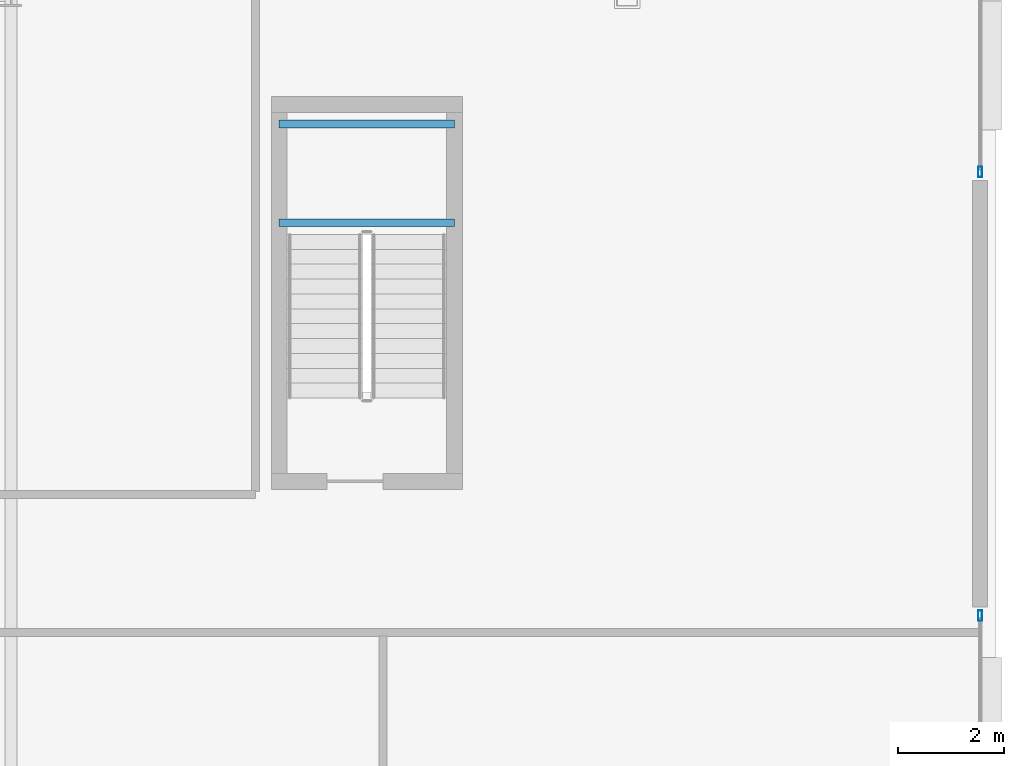
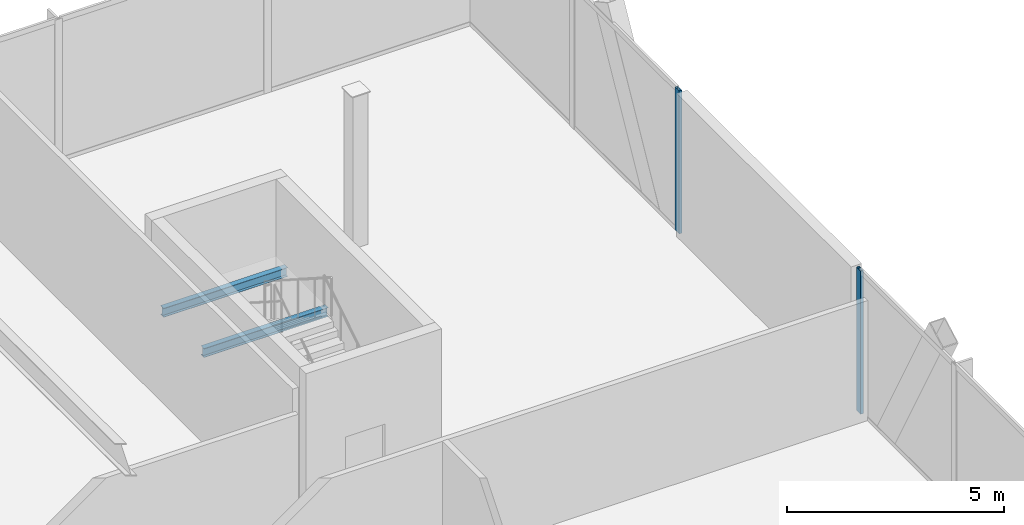
# One storey, part 28 of 42: 2 beams, 2 members, 2 elements without a shape of their own.
"""IFC4 building model written with IfcOpenShell, lengths in metres."""

from ifc_helpers import new_model, si_unit, direction, frame, origin, origin_2d, place, context, subcontext, project, spatial, hollow_rectangle, i_section, extrude, material, layer, layer_set, material_profile, profile_set, type_object, element, aggregate, save


model = new_model("IFC4")

# Units and contexts
model_context = context("Model", 3, precision=1e-05, world=origin(), true_north=direction((0.0, 1.0)))
body_context = subcontext(model_context, "Body", "Model", "MODEL_VIEW")
ifc_project = project(units=[si_unit("LENGTHUNIT", "METRE"), si_unit("AREAUNIT", "SQUARE_METRE"), si_unit("VOLUMEUNIT", "CUBIC_METRE"), si_unit("PLANEANGLEUNIT", "RADIAN"), si_unit("MASSUNIT", "GRAM", prefix="KILO")], contexts=[model_context])

# Site, building, storey
site_placement = place(None, origin())
site = spatial("IfcSite", under=ifc_project, at=site_placement, CompositionType="ELEMENT")
building_placement = place(site_placement, origin())
building = spatial("IfcBuilding", under=site, at=building_placement, Name="Orvanel Arch Residences", CompositionType="ELEMENT")
storey_placement = place(building_placement, frame((0.0, 0.0, 9.800048828125)))
storey = spatial("IfcBuildingStorey", under=building, at=storey_placement, Name="L02", CompositionType="ELEMENT", Elevation=9.800048828125)

# Beams
ifc_material_1 = material(Name="Structural steel AS/NZS 3679.1 Grade 300 (300 MPa)", Category="steel")
ifc_material_profile_1 = material_profile(ifc_material_1, i_section(OverallWidth=0.14599609375, OverallDepth=0.251953125, WebThickness=0.006103515625, FlangeThickness=0.008544921875, at=origin_2d()), Name="250UB31.4")
ifc_profile_set_1 = profile_set([ifc_material_profile_1], Name="Structural steel AS/NZS 3679.1 Grade 300 (300 MPa)")
beam_type = type_object("IfcBeamType", Name="BJ-250UB", PredefinedType="JOIST", material=ifc_profile_set_1)
for number, where, z_axis, x_axis, name in (
    (1, (51.25, 43.719970703125, 1.823974609375), (1.0, 0.0, 0.0), (0.0, 1.0, 0.0), "L02 ST-4 Half-Landing Support Beam 1.1"),
    (2, (51.25, 45.580078125, 1.823974609375), (1.0, 0.0, 0.0), (0.0, 1.0, 0.0), "L02 ST-4 Half-Landing Support Beam 1.2"),
):
    element("IfcBeam", number, at=place(storey_placement, frame(where, z_axis=z_axis, x_axis=x_axis)), inside=storey, type_object=beam_type, Name=name, PredefinedType="JOIST", context=body_context, shape_type="SweptSolid", body=[
        extrude(i_section(OverallWidth=0.14599609375, OverallDepth=0.251953125, WebThickness=0.006103515625, FlangeThickness=0.008544921875, at=origin_2d()), origin(), (0.0, 0.0, 1.0), 3.300048828125),
    ])

# Curtain wall, member
ifc_material_2 = material(Name="Bronze-anodised aluminium AA6063-T6", Category="aluminium")
ifc_layer = layer(ifc_material_2, 0.199951171875)
ifc_layer_set = layer_set([ifc_layer], Name="Bronze-anodised aluminium AA6063-T6")
curtain_wall_type = type_object("IfcCurtainWallType", Name="CW1-POD-SYS", PredefinedType="NOTDEFINED", material=ifc_layer_set)
curtain_wall_1_placement = place(storey_placement, origin())
curtain_wall_1 = element("IfcCurtainWall", 3, at=curtain_wall_1_placement, inside=storey, type_object=curtain_wall_type, Name="L02 CW1-POD-SYS Unitised Curtain Wall", PredefinedType="NOTDEFINED")
ifc_material_profile_2 = material_profile(ifc_material_2, hollow_rectangle(XDim=0.074951171875, YDim=0.199951171875, WallThickness=0.0048828125, at=origin_2d()), Name="ALU200x75x5")
ifc_profile_set_2 = profile_set([ifc_material_profile_2], Name="Bronze-anodised aluminium AA6063-T6")
member_type = type_object("IfcMemberType", Name="MUL-200x75", PredefinedType="MULLION", material=ifc_profile_set_2)
member_1_placement = place(storey_placement, frame((64.449951171875, 36.322509765625, 0.0), z_axis=(0.0, 0.0, 1.0), x_axis=(-1.0, 0.0, 0.0)))
member_1 = element("IfcMember", 4, at=member_1_placement, type_object=member_type, Name="CW-S1 mullion 5", PredefinedType="MULLION", context=body_context, shape_type="SweptSolid", body=[
    extrude(hollow_rectangle(XDim=0.074951171875, YDim=0.199951171875, WallThickness=0.0048828125, at=origin_2d()), origin(), (0.0, 0.0, 1.0), 4.02001953125),
])
aggregate(curtain_wall_1, [member_1])

curtain_wall_2_placement = place(storey_placement, origin())
curtain_wall_2 = element("IfcCurtainWall", 5, at=curtain_wall_2_placement, inside=storey, type_object=curtain_wall_type, Name="L02 CW1-POD-SYS Unitised Curtain Wall", PredefinedType="NOTDEFINED")
member_2_placement = place(storey_placement, frame((64.449951171875, 44.677490234375, 0.0), z_axis=(0.0, 0.0, 1.0), x_axis=(-1.0, 0.0, 0.0)))
member_2 = element("IfcMember", 6, at=member_2_placement, type_object=member_type, Name="CW-S1 mullion 1", PredefinedType="MULLION", context=body_context, shape_type="SweptSolid", body=[
    extrude(hollow_rectangle(XDim=0.074951171875, YDim=0.199951171875, WallThickness=0.0048828125, at=origin_2d()), origin(), (0.0, 0.0, 1.0), 4.02001953125),
])
aggregate(curtain_wall_2, [member_2])

save(model, "model.ifc")
